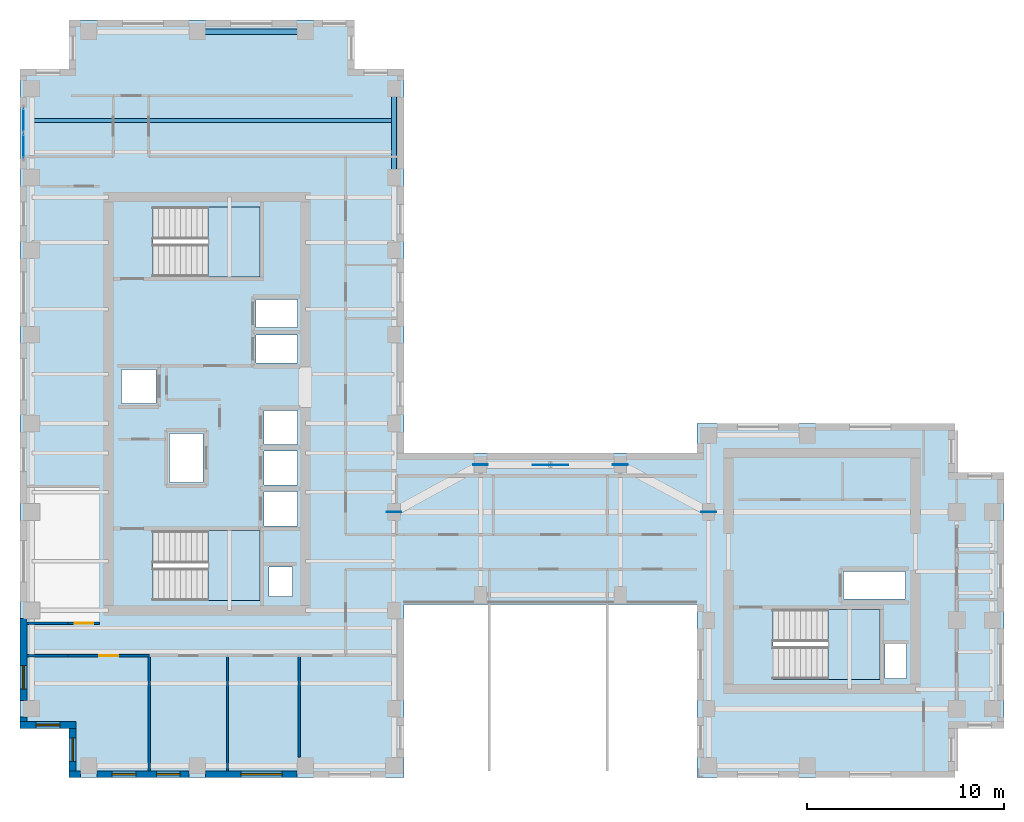
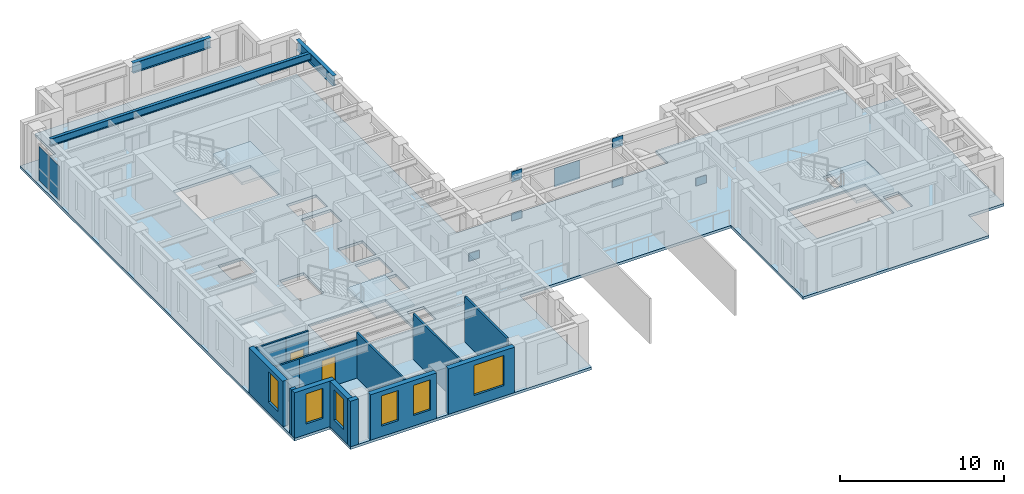
# One storey, part 5 of 14: 14 walls, 9 plates, 6 windows, 4 slabs, 3 beams, 2 doors, 8 openings, 4 elements without a shape of their own.
"""IFC4 building model written with IfcOpenShell, lengths in metres."""

from ifc_helpers import new_model, si_unit, direction, frame, frame_2d, origin, origin_2d, place, context, subcontext, project, spatial, polyline, rectangle, i_section, outline, extrude, source, transform, mapped, material, layer, layer_set, material_profile, profile_set, type_object, element, fill, aggregate, save


model = new_model("IFC4")

# Units and contexts
model_context = context("Model", 3, precision=1e-05, world=origin(), true_north=direction((0.0, 1.0)))
body_context = subcontext(model_context, "Body", "Model", "MODEL_VIEW")
ifc_project = project(units=[si_unit("LENGTHUNIT", "METRE"), si_unit("AREAUNIT", "SQUARE_METRE"), si_unit("VOLUMEUNIT", "CUBIC_METRE"), si_unit("PLANEANGLEUNIT", "RADIAN"), si_unit("MASSUNIT", "GRAM", prefix="KILO")], contexts=[model_context])

# Site, building, storey
site_placement = place(None, origin())
site = spatial("IfcSite", under=ifc_project, at=site_placement, CompositionType="ELEMENT")
building_placement = place(site_placement, origin())
building = spatial("IfcBuilding", under=site, at=building_placement, Name="Kharzan Plaza Tower", CompositionType="ELEMENT")
storey_placement = place(building_placement, frame((0.0, 0.0, 241.199951171875)))
storey = spatial("IfcBuildingStorey", under=building, at=storey_placement, Name="L65", CompositionType="ELEMENT", Elevation=241.199951171875)

# Beams
ifc_material_1 = material(Name="Steel S355", Category="steel")
ifc_material_profile_1 = material_profile(ifc_material_1, i_section(OverallWidth=0.2099609375, OverallDepth=0.537109375, WebThickness=0.010986328125, FlangeThickness=0.017333984375, at=origin_2d()), Name="W530x101")
ifc_profile_set_1 = profile_set([ifc_material_profile_1], Name="Steel S355")
beam_type_1 = type_object("IfcBeamType", Name="BM-JST530B", PredefinedType="JOIST", material=ifc_profile_set_1)
shared_shape_1 = source(origin(), body_context, "Body", "SweptSolid", [
    extrude(i_section(OverallWidth=0.2099609375, OverallDepth=0.537109375, WebThickness=0.010986328125, FlangeThickness=0.017333984375, at=origin_2d()), origin(), (0.0, 0.0, 1.0), 18.39990234375),
])
beam_1_placement = place(storey_placement, frame((0.60009765625, 33.39990234375, 3.131591796875), z_axis=(1.0, 0.0, 0.0), x_axis=(0.0, 1.0, 0.0)))
element("IfcBeam", 1, at=beam_1_placement, inside=storey, type_object=beam_type_1, Name="L65 Wing A Composite Joist 05", PredefinedType="JOIST", context=body_context, shape_type="MappedRepresentation", body=[
    mapped(shared_shape_1, transform((0.0, 0.0, 0.0), x_axis=(1.0, 0.0, 0.0), y_axis=(0.0, 1.0, 0.0), z_axis=(0.0, 0.0, 1.0))),
])
ifc_material_profile_2 = material_profile(ifc_material_1, i_section(OverallWidth=0.26708984375, OverallDepth=0.76611328125, WebThickness=0.014892578125, FlangeThickness=0.023681640625, at=origin_2d()), Name="W760x185")
ifc_profile_set_2 = profile_set([ifc_material_profile_2], Name="Steel S355")
beam_type_2 = type_object("IfcBeamType", Name="BM-SP760B", PredefinedType="SPANDREL", material=ifc_profile_set_2)
shared_shape_2 = source(origin(), body_context, "Body", "SweptSolid", [
    extrude(i_section(OverallWidth=0.26708984375, OverallDepth=0.76611328125, WebThickness=0.014892578125, FlangeThickness=0.023681640625, at=origin_2d()), origin(), (0.0, 0.0, 1.0), 4.5),
])
beam_2_placement = place(storey_placement, frame((19.0, 30.5, 3.01708984375), z_axis=(0.0, 1.0, 0.0), x_axis=(-1.0, 0.0, 0.0)))
element("IfcBeam", 2, at=beam_2_placement, inside=storey, type_object=beam_type_2, Name="L65 Perimeter Tube Spandrel", PredefinedType="SPANDREL", context=body_context, shape_type="MappedRepresentation", body=[
    mapped(shared_shape_2, transform((0.0, 0.0, 0.0), x_axis=(1.0, 0.0, 0.0), y_axis=(0.0, 1.0, 0.0), z_axis=(0.0, 0.0, 1.0))),
])
shared_shape_3 = source(origin(), body_context, "Body", "SweptSolid", [
    extrude(i_section(OverallWidth=0.26708984375, OverallDepth=0.76611328125, WebThickness=0.014892578125, FlangeThickness=0.023681640625, at=origin_2d()), origin(), (0.0, 0.0, 1.0), 5.5),
])
beam_3_placement = place(storey_placement, frame((9.0, 37.89990234375, 3.01708984375), z_axis=(1.0, 0.0, 0.0), x_axis=(0.0, 1.0, 0.0)))
element("IfcBeam", 3, at=beam_3_placement, inside=storey, type_object=beam_type_2, Name="L65 Perimeter Tube Spandrel", PredefinedType="SPANDREL", context=body_context, shape_type="MappedRepresentation", body=[
    mapped(shared_shape_3, transform((0.0, 0.0, 0.0), x_axis=(1.0, 0.0, 0.0), y_axis=(0.0, 1.0, 0.0), z_axis=(0.0, 0.0, 1.0))),
])

# Slab
ifc_material_2 = material(Name="Concrete C40/50", Category="concrete")
ifc_layer_1 = layer(ifc_material_2, 0.199951171875)
ifc_layer_set_1 = layer_set([ifc_layer_1], Name="Concrete C40/50")
slab_type_1 = type_object("IfcSlabType", Name="SL-FLOOR-200", PredefinedType="FLOOR", material=ifc_layer_set_1)
slab_1_placement = place(storey_placement, frame((0.0, 0.0, -0.199951171875)))
element("IfcSlab", 4, at=slab_1_placement, inside=storey, type_object=slab_type_1, Name="L65 Composite Structural Floor Slab 200 mm", PredefinedType="FLOOR", context=body_context, shape_type="SweptSolid", body=[
    extrude(outline(polyline([(34.39990234375, 16.5), (19.5, 16.5), (19.5, 36.0), (17.0, 36.0), (17.0, 38.5), (2.5, 38.5), (2.5, 36.0), (0.0, 36.0), (0.0, 2.5), (2.5, 2.5), (2.5, 0.0), (19.5, 0.0), (19.5, 8.800048828125), (34.39990234375, 8.800048828125), (34.39990234375, 0.0), (47.5, 0.0), (47.5, 2.5), (50.0, 2.5), (50.0, 15.5), (47.5, 15.5), (47.5, 18.0), (34.39990234375, 18.0), (34.39990234375, 16.5)]), holes=[polyline([(12.199951171875, 12.550048828125), (6.75, 12.550048828125), (6.75, 9.0), (12.199951171875, 9.0), (12.199951171875, 12.550048828125)]), polyline([(14.10009765625, 12.800048828125), (14.10009765625, 14.530029296875), (12.39990234375, 14.530029296875), (12.39990234375, 12.800048828125), (14.10009765625, 12.800048828125)]), polyline([(9.300048828125, 15.0), (9.300048828125, 17.5), (7.60009765625, 17.5), (7.60009765625, 15.0), (9.300048828125, 15.0)]), polyline([(6.89990234375, 20.72998046875), (5.14990234375, 20.72998046875), (5.14990234375, 19.010009765625), (6.89990234375, 19.010009765625), (6.89990234375, 20.72998046875)]), polyline([(14.10009765625, 21.070068359375), (14.10009765625, 22.489990234375), (12.0, 22.489990234375), (12.0, 21.070068359375), (14.10009765625, 21.070068359375)]), polyline([(14.10009765625, 22.8701171875), (14.10009765625, 24.2900390625), (12.0, 24.2900390625), (12.0, 22.8701171875), (14.10009765625, 22.8701171875)]), polyline([(12.199951171875, 29.0), (6.75, 29.0), (6.75, 25.449951171875), (12.199951171875, 25.449951171875), (12.199951171875, 29.0)]), polyline([(45.050048828125, 5.050048828125), (45.050048828125, 6.800048828125), (43.949951171875, 6.800048828125), (43.949951171875, 5.050048828125), (45.050048828125, 5.050048828125)]), polyline([(43.699951171875, 5.0), (43.699951171875, 8.550048828125), (38.25, 8.550048828125), (38.25, 5.0), (43.699951171875, 5.0)]), polyline([(45.0, 9.070068359375), (45.0, 10.469970703125), (41.85009765625, 10.469970703125), (41.85009765625, 9.070068359375), (45.0, 9.070068359375)]), polyline([(13.85009765625, 9.199951171875), (13.85009765625, 10.699951171875), (12.64990234375, 10.699951171875), (12.64990234375, 9.199951171875), (13.85009765625, 9.199951171875)]), polyline([(14.10009765625, 14.8701171875), (14.10009765625, 16.60009765625), (12.39990234375, 16.60009765625), (12.39990234375, 14.8701171875), (14.10009765625, 14.8701171875)]), polyline([(14.10009765625, 16.93994140625), (14.10009765625, 18.64990234375), (12.39990234375, 18.64990234375), (12.39990234375, 16.93994140625), (14.10009765625, 16.93994140625)])]), origin(), (0.0, 0.0, 1.0), 0.199951171875),
])

# Stair, slab
stair_type_1 = type_object("IfcStairType", Name="STR-ST-1", PredefinedType="HALF_TURN_STAIR", material=ifc_material_2)
stair_1_placement = place(storey_placement, origin())
stair_1 = element("IfcStair", 5, at=stair_1_placement, inside=storey, type_object=stair_type_1, Name="L65 Protected Exit Stair ST-1", PredefinedType="HALF_TURN_STAIR")
ifc_layer_2 = layer(ifc_material_2, 0.219970703125)
ifc_layer_set_2 = layer_set([ifc_layer_2], Name="Concrete C40/50")
slab_type_2 = type_object("IfcSlabType", Name="SL-LANDING-220", PredefinedType="LANDING", material=ifc_layer_set_2)
slab_2_placement = place(storey_placement, frame((0.0, 0.0, 1.60009765625)))
slab_2 = element("IfcSlab", 6, at=slab_2_placement, type_object=slab_type_2, Name="ST-1 landing 1", PredefinedType="LANDING", context=body_context, shape_type="SweptSolid", body=[
    extrude(outline(polyline([(9.550048828125, 9.0), (12.199951171875, 9.0), (12.199951171875, 12.550048828125), (9.550048828125, 12.550048828125), (9.550048828125, 9.0)])), origin(), (0.0, 0.0, 1.0), 0.199951171875),
])
aggregate(stair_1, [slab_2])

stair_type_2 = type_object("IfcStairType", Name="STR-ST-2", PredefinedType="HALF_TURN_STAIR", material=ifc_material_2)
stair_2_placement = place(storey_placement, origin())
stair_2 = element("IfcStair", 7, at=stair_2_placement, inside=storey, type_object=stair_type_2, Name="L65 Protected Exit Stair ST-2", PredefinedType="HALF_TURN_STAIR")
slab_3_placement = place(storey_placement, frame((0.0, 0.0, 1.60009765625)))
slab_3 = element("IfcSlab", 8, at=slab_3_placement, type_object=slab_type_2, Name="ST-2 landing 1", PredefinedType="LANDING", context=body_context, shape_type="SweptSolid", body=[
    extrude(outline(polyline([(9.550048828125, 25.449951171875), (12.199951171875, 25.449951171875), (12.199951171875, 29.0), (9.550048828125, 29.0), (9.550048828125, 25.449951171875)])), origin(), (0.0, 0.0, 1.0), 0.199951171875),
])
aggregate(stair_2, [slab_3])

stair_type_3 = type_object("IfcStairType", Name="STR-ST-3", PredefinedType="HALF_TURN_STAIR", material=ifc_material_2)
stair_3_placement = place(storey_placement, origin())
stair_3 = element("IfcStair", 9, at=stair_3_placement, inside=storey, type_object=stair_type_3, Name="L65 Protected Exit Stair ST-3", PredefinedType="HALF_TURN_STAIR")
slab_4_placement = place(storey_placement, frame((0.0, 0.0, 1.60009765625)))
slab_4 = element("IfcSlab", 10, at=slab_4_placement, type_object=slab_type_2, Name="ST-3 landing 1", PredefinedType="LANDING", context=body_context, shape_type="SweptSolid", body=[
    extrude(outline(polyline([(41.050048828125, 5.0), (43.699951171875, 5.0), (43.699951171875, 8.550048828125), (41.050048828125, 8.550048828125), (41.050048828125, 5.0)])), origin(), (0.0, 0.0, 1.0), 0.199951171875),
])
aggregate(stair_3, [slab_4])

# Plates
ifc_material_3 = material(Name="Steel S460", Category="steel")
ifc_layer_3 = layer(ifc_material_3, 0.0380859375)
ifc_layer_set_3 = layer_set([ifc_layer_3], Name="Steel S460")
plate_type_1 = type_object("IfcPlateType", Name="PLT-WPN1", PredefinedType="USERDEFINED", material=ifc_layer_set_3)
shared_shape_4 = source(origin(), body_context, "Body", "SweptSolid", [
    extrude(rectangle(XDim=0.75, YDim=0.0380859375, at=origin_2d()), origin(), (0.0, 0.0, 1.0), 0.75),
])
for number, where, z_axis, x_axis, name in (
    (11, (30.5, 15.89990234375, -0.175048828125), (0.0, 0.0, 1.0), (1.0, 0.0, 0.0), "L65 Wind Turbine Strut Foot Gusset Plate WPN-TSE"),
    (12, (23.39990234375, 15.89990234375, -0.175048828125), (0.0, 0.0, 1.0), (1.0, 0.0, 0.0), "L65 Wind Turbine Strut Foot Gusset Plate WPN-TSW"),
    (13, (23.39990234375, 15.89990234375, 2.905029296875), (0.0, 0.0, 1.0), (1.0, 0.0, 0.0), "L65 Wind Portal Node Gusset Plate WPN1"),
    (14, (35.0, 13.5, -0.175048828125), (0.0, 0.0, 1.0), (1.0, 0.0, 0.0), "L65 Wind Portal Node Gusset Plate WPN1-EB"),
    (15, (30.5, 15.89990234375, 2.905029296875), (0.0, 0.0, 1.0), (1.0, 0.0, 0.0), "L65 Wind Portal Node Gusset Plate WPN1-ET"),
    (16, (19.0, 13.5, -0.175048828125), (0.0, 0.0, 1.0), (1.0, 0.0, 0.0), "L65 Wind Portal Node Gusset Plate WPN1-WB"),
):
    element("IfcPlate", number, at=place(storey_placement, frame(where, z_axis=z_axis, x_axis=x_axis)), inside=storey, type_object=plate_type_1, Name=name, ObjectType="GUSSET_PLATE", PredefinedType="USERDEFINED", context=body_context, shape_type="MappedRepresentation", body=[
        mapped(shared_shape_4, transform((0.0, 0.0, 0.0), x_axis=(1.0, 0.0, 0.0), y_axis=(0.0, 1.0, 0.0), z_axis=(0.0, 0.0, 1.0))),
    ])
ifc_layer_4 = layer(ifc_material_3, 0.02490234375)
ifc_layer_set_4 = layer_set([ifc_layer_4], Name="Steel S460")
plate_type_2 = type_object("IfcPlateType", Name="PLT-SHRD", PredefinedType="USERDEFINED", material=ifc_layer_set_4)
shared_shape_5 = source(origin(), body_context, "Body", "SweptSolid", [
    extrude(rectangle(XDim=1.800048828125, YDim=0.02490234375, at=origin_2d()), origin(), (0.0, 0.0, 1.0), 1.39990234375),
])
plate_1_placement = place(storey_placement, frame((26.949951171875, 15.89990234375, 1.47998046875), z_axis=(0.0, 0.0, 1.0), x_axis=(1.0, 0.0, 0.0)))
element("IfcPlate", 17, at=plate_1_placement, inside=storey, type_object=plate_type_2, Name="L65 Wind Turbine Slot Shroud Plate TSN1", ObjectType="SHROUD_PLATE", PredefinedType="USERDEFINED", context=body_context, shape_type="MappedRepresentation", body=[
    mapped(shared_shape_5, transform((0.0, 0.0, 0.0), x_axis=(1.0, 0.0, 0.0), y_axis=(0.0, 1.0, 0.0), z_axis=(0.0, 0.0, 1.0))),
])

# Curtain wall, plates
ifc_material_4 = material(Name="Unitised Bronze-Anodized Aluminium and Low-E Glass", Category="aluminium")
ifc_layer_5 = layer(ifc_material_4, 0.199951171875)
ifc_layer_set_5 = layer_set([ifc_layer_5], Name="Unitised Bronze-Anodized Aluminium and Low-E Glass")
curtain_wall_type = type_object("IfcCurtainWallType", Name="CW-EXEC-5", PredefinedType="NOTDEFINED", material=ifc_layer_set_5)
curtain_wall_placement = place(storey_placement, origin())
curtain_wall = element("IfcCurtainWall", 18, at=curtain_wall_placement, inside=storey, type_object=curtain_wall_type, Name="L65 Upper Executive Setback Panoramic Curtain Wall", PredefinedType="NOTDEFINED")
ifc_material_5 = material(Name="Dark Solar-Control Double Glazing", Category="glass")
ifc_layer_6 = layer(ifc_material_5, 0.031982421875)
ifc_layer_set_6 = layer_set([ifc_layer_6], Name="Dark Solar-Control Double Glazing")
plate_type_3 = type_object("IfcPlateType", Name="PLT-CW-GLASS", PredefinedType="CURTAIN_PANEL", material=ifc_layer_set_6)
shared_shape_6 = source(origin(), body_context, "Body", "SweptSolid", [
    extrude(rectangle(XDim=1.179931640625, YDim=0.031982421875, at=origin_2d()), origin(), (0.0, 0.0, 1.0), 2.5400390625),
])
plate_2_placement = place(storey_placement, frame((0.179931640625, 32.10009765625, 0.080078125), z_axis=(0.0, 0.0, 1.0), x_axis=(0.0, 1.0, 0.0)))
plate_2 = element("IfcPlate", 19, at=plate_2_placement, type_object=plate_type_3, Name="L65 Curtain-Wall Glazed Panel 00", PredefinedType="CURTAIN_PANEL", context=body_context, shape_type="MappedRepresentation", body=[
    mapped(shared_shape_6, transform((0.0, 0.0, 0.0), x_axis=(1.0, 0.0, 0.0), y_axis=(0.0, 1.0, 0.0), z_axis=(0.0, 0.0, 1.0))),
])
plate_3_placement = place(storey_placement, frame((0.179931640625, 33.39990234375, 0.080078125), z_axis=(0.0, 0.0, 1.0), x_axis=(0.0, 1.0, 0.0)))
plate_3 = element("IfcPlate", 20, at=plate_3_placement, type_object=plate_type_3, Name="L65 Curtain-Wall Glazed Panel 01", PredefinedType="CURTAIN_PANEL", context=body_context, shape_type="MappedRepresentation", body=[
    mapped(shared_shape_6, transform((0.0, 0.0, 0.0), x_axis=(1.0, 0.0, 0.0), y_axis=(0.0, 1.0, 0.0), z_axis=(0.0, 0.0, 1.0))),
])
aggregate(curtain_wall, [plate_2, plate_3])

# Wall, opening, window
ifc_layer_7 = layer(ifc_material_2, 0.35009765625)
ifc_layer_set_7 = layer_set([ifc_layer_7], Name="Concrete C40/50")
wall_type_1 = type_object("IfcWallType", Name="WL-EXT-MAS-Z4", PredefinedType="SOLIDWALL", material=ifc_layer_set_7)
wall_1_placement = place(storey_placement, frame((0.175048828125, 8.076904296875, 0.0), z_axis=(0.0, 0.0, 1.0), x_axis=(0.0, -1.0, 0.0)))
wall_1 = element("IfcWall", 21, at=wall_1_placement, inside=storey, type_object=wall_type_1, Name="L65 Masonry-Frame Exterior Wall 23", PredefinedType="SOLIDWALL", context=body_context, shape_type="SweptSolid", body=[
    extrude(rectangle(XDim=4.15380859375, YDim=0.35009765625, at=frame_2d((2.076904296875, 0.0))), origin(), (0.0, 0.0, 1.0), 3.385009765625),
])
opening_1_placement = place(wall_1_placement, frame((2.380615234375, 0.0, 0.780029296875)))
opening_1 = element("IfcOpeningElement", 22, at=opening_1_placement, cuts=wall_1, Name="Opening W3", PredefinedType="OPENING", context=body_context, shape_type="SweptSolid", body=[
    extrude(rectangle(XDim=1.199951171875, YDim=2.25, at=frame_2d((0.60009765625, 1.125))), frame((0.0, 0.18505859375, 0.0), z_axis=(0.0, -1.0, 0.0), x_axis=(1.0, 0.0, 0.0)), (0.0, 0.0, 1.0), 0.3701171875),
])
ifc_material_6 = material(Name="Low-E Double Glazing", Category="glass")
window_type_1 = type_object("IfcWindowType", Name="WN-REC-1200x2100", PartitioningType="SINGLE_PANEL", PredefinedType="WINDOW", material=ifc_material_6)
shared_shape_7 = source(origin(), body_context, "Body", "SweptSolid", [
    extrude(rectangle(XDim=1.199951171875, YDim=2.25, at=frame_2d((0.60009765625, 1.125))), frame((0.0, 0.030029296875, 0.0), z_axis=(0.0, -1.0, 0.0), x_axis=(1.0, 0.0, 0.0)), (0.0, 0.0, 1.0), 0.06005859375),
])
window_1_placement = place(opening_1_placement, origin())
window_1 = element("IfcWindow", 23, at=window_1_placement, inside=storey, type_object=window_type_1, Name="L65 Recessed Solar-Control Window 23-1", OverallHeight=2.25, OverallWidth=1.199951171875, PartitioningType="SINGLE_PANEL", PredefinedType="WINDOW", context=body_context, shape_type="MappedRepresentation", body=[
    mapped(shared_shape_7, transform((0.0, 0.0, 0.0), x_axis=(1.0, 0.0, 0.0), y_axis=(0.0, 1.0, 0.0), z_axis=(0.0, 0.0, 1.0))),
])
fill(opening_1, window_1)

wall_2_placement = place(storey_placement, frame((0.0, 2.675048828125, 0.0), z_axis=(0.0, 0.0, 1.0), x_axis=(1.0, 0.0, 0.0)))
wall_2 = element("IfcWall", 24, at=wall_2_placement, inside=storey, type_object=wall_type_1, Name="L65 Masonry-Frame Exterior Wall 25", PredefinedType="SOLIDWALL", context=body_context, shape_type="SweptSolid", body=[
    extrude(rectangle(XDim=2.85009765625, YDim=0.35009765625, at=frame_2d((1.425048828125, 0.0))), origin(), (0.0, 0.0, 1.0), 3.385009765625),
])
opening_2_placement = place(wall_2_placement, frame((0.824951171875, 0.0, 0.780029296875)))
opening_2 = element("IfcOpeningElement", 25, at=opening_2_placement, cuts=wall_2, Name="Opening W3", PredefinedType="OPENING", context=body_context, shape_type="SweptSolid", body=[
    extrude(rectangle(XDim=1.199951171875, YDim=2.25, at=frame_2d((0.60009765625, 1.125))), frame((0.0, 0.18505859375, 0.0), z_axis=(0.0, -1.0, 0.0), x_axis=(1.0, 0.0, 0.0)), (0.0, 0.0, 1.0), 0.3701171875),
])
window_2_placement = place(opening_2_placement, origin())
window_2 = element("IfcWindow", 26, at=window_2_placement, inside=storey, type_object=window_type_1, Name="L65 Recessed Solar-Control Window 25-1", OverallHeight=2.25, OverallWidth=1.199951171875, PartitioningType="SINGLE_PANEL", PredefinedType="WINDOW", context=body_context, shape_type="MappedRepresentation", body=[
    mapped(shared_shape_7, transform((0.0, 0.0, 0.0), x_axis=(1.0, 0.0, 0.0), y_axis=(0.0, 1.0, 0.0), z_axis=(0.0, 0.0, 1.0))),
])
fill(opening_2, window_2)

wall_3_placement = place(storey_placement, frame((2.675048828125, 2.501953125, 0.0), z_axis=(0.0, 0.0, 1.0), x_axis=(0.0, -1.0, 0.0)))
wall_3 = element("IfcWall", 27, at=wall_3_placement, inside=storey, type_object=wall_type_1, Name="L65 Masonry-Frame Exterior Wall 26", PredefinedType="SOLIDWALL", context=body_context, shape_type="SweptSolid", body=[
    extrude(rectangle(XDim=2.154052734375, YDim=0.35009765625, at=frame_2d((1.0771484375, 0.0))), origin(), (0.0, 0.0, 1.0), 3.385009765625),
])
opening_3_placement = place(wall_3_placement, frame((0.47705078125, 0.0, 0.780029296875)))
opening_3 = element("IfcOpeningElement", 28, at=opening_3_placement, cuts=wall_3, Name="Opening W3", PredefinedType="OPENING", context=body_context, shape_type="SweptSolid", body=[
    extrude(rectangle(XDim=1.199951171875, YDim=2.25, at=frame_2d((0.60009765625, 1.125))), frame((0.0, 0.18505859375, 0.0), z_axis=(0.0, -1.0, 0.0), x_axis=(1.0, 0.0, 0.0)), (0.0, 0.0, 1.0), 0.3701171875),
])
window_3_placement = place(opening_3_placement, origin())
window_3 = element("IfcWindow", 29, at=window_3_placement, inside=storey, type_object=window_type_1, Name="L65 Recessed Solar-Control Window 26-1", OverallHeight=2.25, OverallWidth=1.199951171875, PartitioningType="SINGLE_PANEL", PredefinedType="WINDOW", context=body_context, shape_type="MappedRepresentation", body=[
    mapped(shared_shape_7, transform((0.0, 0.0, 0.0), x_axis=(1.0, 0.0, 0.0), y_axis=(0.0, 1.0, 0.0), z_axis=(0.0, 0.0, 1.0))),
])
fill(opening_3, window_3)

# Wall, openings, windows
wall_4_placement = place(storey_placement, frame((3.923095703125, 0.175048828125, 0.0), z_axis=(0.0, 0.0, 1.0), x_axis=(1.0, 0.0, 0.0)))
wall_4 = element("IfcWall", 30, at=wall_4_placement, inside=storey, type_object=wall_type_1, Name="L65 Masonry-Frame Exterior Wall 28", PredefinedType="SOLIDWALL", context=body_context, shape_type="SweptSolid", body=[
    extrude(rectangle(XDim=4.65380859375, YDim=0.35009765625, at=frame_2d((2.326904296875, 0.0))), origin(), (0.0, 0.0, 1.0), 3.385009765625),
])
opening_4_placement = place(wall_4_placement, frame((0.759521484375, 0.0, 0.780029296875)))
opening_4 = element("IfcOpeningElement", 31, at=opening_4_placement, cuts=wall_4, Name="Opening W3", PredefinedType="OPENING", context=body_context, shape_type="SweptSolid", body=[
    extrude(rectangle(XDim=1.199951171875, YDim=2.25, at=frame_2d((0.60009765625, 1.125))), frame((0.0, 0.18505859375, 0.0), z_axis=(0.0, -1.0, 0.0), x_axis=(1.0, 0.0, 0.0)), (0.0, 0.0, 1.0), 0.3701171875),
])
opening_5_placement = place(wall_4_placement, frame((3.0166015625, 0.0, 0.780029296875)))
opening_5 = element("IfcOpeningElement", 32, at=opening_5_placement, cuts=wall_4, Name="Opening W3", PredefinedType="OPENING", context=body_context, shape_type="SweptSolid", body=[
    extrude(rectangle(XDim=1.199951171875, YDim=2.25, at=frame_2d((0.60009765625, 1.125))), frame((0.0, 0.18505859375, 0.0), z_axis=(0.0, -1.0, 0.0), x_axis=(1.0, 0.0, 0.0)), (0.0, 0.0, 1.0), 0.3701171875),
])
window_4_placement = place(opening_4_placement, origin())
window_4 = element("IfcWindow", 33, at=window_4_placement, inside=storey, type_object=window_type_1, Name="L65 Recessed Solar-Control Window 28-1", OverallHeight=2.25, OverallWidth=1.199951171875, PartitioningType="SINGLE_PANEL", PredefinedType="WINDOW", context=body_context, shape_type="MappedRepresentation", body=[
    mapped(shared_shape_7, transform((0.0, 0.0, 0.0), x_axis=(1.0, 0.0, 0.0), y_axis=(0.0, 1.0, 0.0), z_axis=(0.0, 0.0, 1.0))),
])
fill(opening_4, window_4)
window_5_placement = place(opening_5_placement, origin())
window_5 = element("IfcWindow", 34, at=window_5_placement, inside=storey, type_object=window_type_1, Name="L65 Recessed Solar-Control Window 28-2", OverallHeight=2.25, OverallWidth=1.199951171875, PartitioningType="SINGLE_PANEL", PredefinedType="WINDOW", context=body_context, shape_type="MappedRepresentation", body=[
    mapped(shared_shape_7, transform((0.0, 0.0, 0.0), x_axis=(1.0, 0.0, 0.0), y_axis=(0.0, 1.0, 0.0), z_axis=(0.0, 0.0, 1.0))),
])
fill(opening_5, window_5)

# Wall, opening, window
wall_5_placement = place(storey_placement, frame((9.423095703125, 0.175048828125, 0.0), z_axis=(0.0, 0.0, 1.0), x_axis=(1.0, 0.0, 0.0)))
wall_5 = element("IfcWall", 35, at=wall_5_placement, inside=storey, type_object=wall_type_1, Name="L65 Masonry-Frame Exterior Wall 29", PredefinedType="SOLIDWALL", context=body_context, shape_type="SweptSolid", body=[
    extrude(rectangle(XDim=4.65380859375, YDim=0.35009765625, at=frame_2d((2.326904296875, 0.0))), origin(), (0.0, 0.0, 1.0), 3.385009765625),
])
opening_6_placement = place(wall_5_placement, frame((1.802490234375, 0.0, 0.780029296875)))
opening_6 = element("IfcOpeningElement", 36, at=opening_6_placement, cuts=wall_5, Name="Opening W6", PredefinedType="OPENING", context=body_context, shape_type="SweptSolid", body=[
    extrude(rectangle(XDim=2.10009765625, YDim=2.25, at=frame_2d((1.050048828125, 1.125))), frame((0.0, 0.18505859375, 0.0), z_axis=(0.0, -1.0, 0.0), x_axis=(1.0, 0.0, 0.0)), (0.0, 0.0, 1.0), 0.3701171875),
])
window_type_2 = type_object("IfcWindowType", Name="WN-EXEC-2100x2250", PartitioningType="SINGLE_PANEL", PredefinedType="WINDOW", material=ifc_material_6)
shared_shape_8 = source(origin(), body_context, "Body", "SweptSolid", [
    extrude(rectangle(XDim=2.10009765625, YDim=2.25, at=frame_2d((1.050048828125, 1.125))), frame((0.0, 0.030029296875, 0.0), z_axis=(0.0, -1.0, 0.0), x_axis=(1.0, 0.0, 0.0)), (0.0, 0.0, 1.0), 0.06005859375),
])
window_6_placement = place(opening_6_placement, origin())
window_6 = element("IfcWindow", 37, at=window_6_placement, inside=storey, type_object=window_type_2, Name="L65 Recessed Solar-Control Window 29-1", OverallHeight=2.25, OverallWidth=2.10009765625, PartitioningType="SINGLE_PANEL", PredefinedType="WINDOW", context=body_context, shape_type="MappedRepresentation", body=[
    mapped(shared_shape_8, transform((0.0, 0.0, 0.0), x_axis=(1.0, 0.0, 0.0), y_axis=(0.0, 1.0, 0.0), z_axis=(0.0, 0.0, 1.0))),
])
fill(opening_6, window_6)

# Wall, opening, door
ifc_material_7 = material(Name="Fire-Rated Gypsum Board Partition", Category="gypsum")
ifc_layer_8 = layer(ifc_material_7, 0.125)
ifc_layer_set_8 = layer_set([ifc_layer_8], Name="Fire-Rated Gypsum Board Partition")
wall_type_2 = type_object("IfcWallType", Name="WL-INT-PART-125", PredefinedType="PARTITIONING", material=ifc_layer_set_8)
wall_6_placement = place(storey_placement, frame((2.449951171875, 7.85009765625, 0.0), z_axis=(0.0, 0.0, 1.0), x_axis=(1.0, 0.0, 0.0)))
wall_6 = element("IfcWall", 38, at=wall_6_placement, inside=storey, type_object=wall_type_2, Name="L65 Interior Partition SH-RWSD", PredefinedType="PARTITIONING", context=body_context, shape_type="SweptSolid", body=[
    extrude(rectangle(XDim=1.60009765625, YDim=0.125, at=frame_2d((0.800048828125, 0.0))), origin(), (0.0, 0.0, 1.0), 3.385009765625),
])
opening_7_placement = place(wall_6_placement, frame((0.324951171875, 0.0, 0.0)))
opening_7 = element("IfcOpeningElement", 39, at=opening_7_placement, cuts=wall_6, Name="Opening OD1", PredefinedType="OPENING", context=body_context, shape_type="SweptSolid", body=[
    extrude(rectangle(XDim=0.949951171875, YDim=2.14990234375, at=frame_2d((0.47509765625, 1.074951171875))), frame((0.0, 0.072509765625, 0.0), z_axis=(0.0, -1.0, 0.0), x_axis=(1.0, 0.0, 0.0)), (0.0, 0.0, 1.0), 0.14501953125),
])
ifc_material_8 = material(Name="Acoustic Solid-Core Stained Oak", Category="timber")
door_type = type_object("IfcDoorType", Name="DR-OFF-SINGLE", OperationType="NOTDEFINED", PredefinedType="DOOR", material=ifc_material_8)
shared_shape_9 = source(origin(), body_context, "Body", "SweptSolid", [
    extrude(rectangle(XDim=0.949951171875, YDim=2.14990234375, at=frame_2d((0.47509765625, 1.074951171875))), frame((0.0, 0.02490234375, 0.0), z_axis=(0.0, -1.0, 0.0), x_axis=(1.0, 0.0, 0.0)), (0.0, 0.0, 1.0), 0.050048828125),
])
door_1_placement = place(opening_7_placement, origin())
door_1 = element("IfcDoor", 40, at=door_1_placement, inside=storey, type_object=door_type, Name="L65 West Office 1 Door", OperationType="SINGLE_SWING_RIGHT", OverallHeight=2.14990234375, OverallWidth=0.949951171875, PredefinedType="DOOR", context=body_context, shape_type="MappedRepresentation", body=[
    mapped(shared_shape_9, transform((0.0, 0.0, 0.0), x_axis=(1.0, 0.0, 0.0), y_axis=(0.0, 1.0, 0.0), z_axis=(0.0, 0.0, 1.0))),
])
fill(opening_7, door_1)

wall_7_placement = place(storey_placement, frame((2.449951171875, 6.199951171875, 0.0), z_axis=(0.0, 0.0, 1.0), x_axis=(1.0, 0.0, 0.0)))
wall_7 = element("IfcWall", 41, at=wall_7_placement, inside=storey, type_object=wall_type_2, Name="L65 Interior Partition SH-SS-1", PredefinedType="PARTITIONING", context=body_context, shape_type="SweptSolid", body=[
    extrude(rectangle(XDim=4.1220703125, YDim=0.125, at=frame_2d((2.06103515625, 0.0))), origin(), (0.0, 0.0, 1.0), 2.84814453125),
])
opening_8_placement = place(wall_7_placement, frame((1.5859375, 0.0, 0.0)))
opening_8 = element("IfcOpeningElement", 42, at=opening_8_placement, cuts=wall_7, Name="Opening OD1", PredefinedType="OPENING", context=body_context, shape_type="SweptSolid", body=[
    extrude(rectangle(XDim=0.949951171875, YDim=2.14990234375, at=frame_2d((0.47509765625, 1.074951171875))), frame((0.0, 0.072509765625, 0.0), z_axis=(0.0, -1.0, 0.0), x_axis=(1.0, 0.0, 0.0)), (0.0, 0.0, 1.0), 0.14501953125),
])
door_2_placement = place(opening_8_placement, origin())
door_2 = element("IfcDoor", 43, at=door_2_placement, inside=storey, type_object=door_type, Name="L65 Staff Tea Pantry Door", OperationType="SINGLE_SWING_RIGHT", OverallHeight=2.14990234375, OverallWidth=0.949951171875, PredefinedType="DOOR", context=body_context, shape_type="MappedRepresentation", body=[
    mapped(shared_shape_9, transform((0.0, 0.0, 0.0), x_axis=(1.0, 0.0, 0.0), y_axis=(0.0, 1.0, 0.0), z_axis=(0.0, 0.0, 1.0))),
])
fill(opening_8, door_2)

# Walls
shared_shape_10 = source(origin(), body_context, "Body", "SweptSolid", [
    extrude(rectangle(XDim=2.097900390625, YDim=0.125, at=frame_2d((1.048828125, 0.0))), origin(), (0.0, 0.0, 1.0), 3.385009765625),
])
wall_8_placement = place(storey_placement, frame((0.35205078125, 7.85009765625, 0.0), z_axis=(0.0, 0.0, 1.0), x_axis=(1.0, 0.0, 0.0)))
element("IfcWall", 44, at=wall_8_placement, inside=storey, type_object=wall_type_2, Name="L65 Interior Partition SH-RWS0", PredefinedType="PARTITIONING", context=body_context, shape_type="MappedRepresentation", body=[
    mapped(shared_shape_10, transform((0.0, 0.0, 0.0), x_axis=(1.0, 0.0, 0.0), y_axis=(0.0, 1.0, 0.0), z_axis=(0.0, 0.0, 1.0))),
])
shared_shape_11 = source(origin(), body_context, "Body", "SweptSolid", [
    extrude(rectangle(XDim=5.847900390625, YDim=0.125, at=frame_2d((2.923828125, 0.0))), origin(), (0.0, 0.0, 1.0), 3.385009765625),
])
for number, where, z_axis, x_axis, name in (
    (45, (6.572021484375, 0.35205078125, 0.0), (0.0, 0.0, 1.0), (0.0, 1.0, 0.0), "L65 Interior Partition SH-SV-1"),
    (46, (10.5439453125, 0.35205078125, 0.0), (0.0, 0.0, 1.0), (0.0, 1.0, 0.0), "L65 Interior Partition SH-SV-2"),
):
    element("IfcWall", number, at=place(storey_placement, frame(where, z_axis=z_axis, x_axis=x_axis)), inside=storey, type_object=wall_type_2, Name=name, PredefinedType="PARTITIONING", context=body_context, shape_type="MappedRepresentation", body=[
        mapped(shared_shape_11, transform((0.0, 0.0, 0.0), x_axis=(1.0, 0.0, 0.0), y_axis=(0.0, 1.0, 0.0), z_axis=(0.0, 0.0, 1.0))),
    ])
shared_shape_12 = source(origin(), body_context, "Body", "SweptSolid", [
    extrude(rectangle(XDim=2.097900390625, YDim=0.125, at=frame_2d((1.048828125, 0.0))), origin(), (0.0, 0.0, 1.0), 2.84814453125),
])
wall_9_placement = place(storey_placement, frame((0.35205078125, 6.199951171875, 0.0), z_axis=(0.0, 0.0, 1.0), x_axis=(1.0, 0.0, 0.0)))
element("IfcWall", 47, at=wall_9_placement, inside=storey, type_object=wall_type_2, Name="L65 Interior Partition SH-SS-EXT", PredefinedType="PARTITIONING", context=body_context, shape_type="MappedRepresentation", body=[
    mapped(shared_shape_12, transform((0.0, 0.0, 0.0), x_axis=(1.0, 0.0, 0.0), y_axis=(0.0, 1.0, 0.0), z_axis=(0.0, 0.0, 1.0))),
])
shared_shape_13 = source(origin(), body_context, "Body", "SweptSolid", [
    extrude(rectangle(XDim=0.576904296875, YDim=0.35009765625, at=frame_2d((0.28857421875, 0.0))), origin(), (0.0, 0.0, 1.0), 3.385009765625),
])
wall_10_placement = place(storey_placement, frame((2.5, 0.175048828125, 0.0), z_axis=(0.0, 0.0, 1.0), x_axis=(1.0, 0.0, 0.0)))
element("IfcWall", 48, at=wall_10_placement, inside=storey, type_object=wall_type_1, Name="L65 Masonry-Frame Exterior Wall 27", PredefinedType="SOLIDWALL", context=body_context, shape_type="MappedRepresentation", body=[
    mapped(shared_shape_13, transform((0.0, 0.0, 0.0), x_axis=(1.0, 0.0, 0.0), y_axis=(0.0, 1.0, 0.0), z_axis=(0.0, 0.0, 1.0))),
])
shared_shape_14 = source(origin(), body_context, "Body", "SweptSolid", [
    extrude(rectangle(XDim=0.22900390625, YDim=0.35009765625, at=frame_2d((0.114501953125, 0.0))), origin(), (0.0, 0.0, 1.0), 3.385009765625),
])
wall_11_placement = place(storey_placement, frame((0.175048828125, 3.076904296875, 0.0), z_axis=(0.0, 0.0, 1.0), x_axis=(0.0, -1.0, 0.0)))
element("IfcWall", 49, at=wall_11_placement, inside=storey, type_object=wall_type_1, Name="L65 Masonry-Frame Exterior Wall 24", PredefinedType="SOLIDWALL", context=body_context, shape_type="MappedRepresentation", body=[
    mapped(shared_shape_14, transform((0.0, 0.0, 0.0), x_axis=(1.0, 0.0, 0.0), y_axis=(0.0, 1.0, 0.0), z_axis=(0.0, 0.0, 1.0))),
])
shared_shape_15 = source(origin(), body_context, "Body", "SweptSolid", [
    extrude(rectangle(XDim=5.14990234375, YDim=0.125, at=frame_2d((2.574951171875, 0.0))), origin(), (0.0, 0.0, 1.0), 3.385009765625),
])
wall_12_placement = place(storey_placement, frame((14.18505859375, 1.050048828125, 0.0), z_axis=(0.0, 0.0, 1.0), x_axis=(0.0, 1.0, 0.0)))
element("IfcWall", 50, at=wall_12_placement, inside=storey, type_object=wall_type_2, Name="L65 Interior Partition SH-SV-3", PredefinedType="PARTITIONING", context=body_context, shape_type="MappedRepresentation", body=[
    mapped(shared_shape_15, transform((0.0, 0.0, 0.0), x_axis=(1.0, 0.0, 0.0), y_axis=(0.0, 1.0, 0.0), z_axis=(0.0, 0.0, 1.0))),
])

save(model, "model.ifc")
